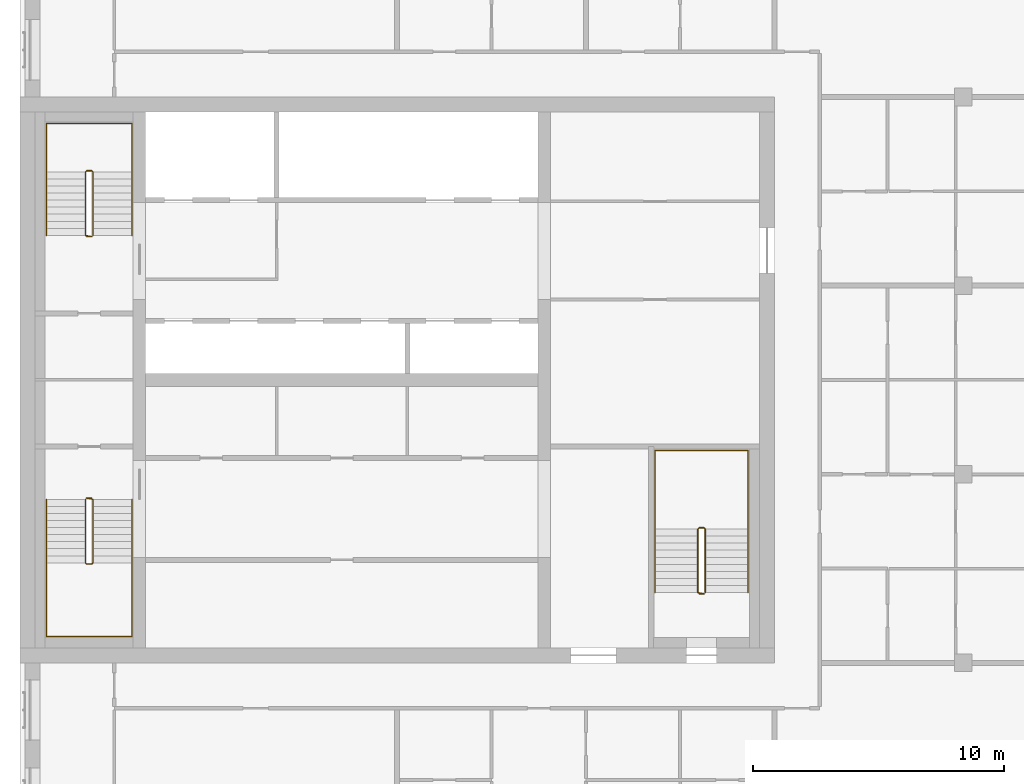
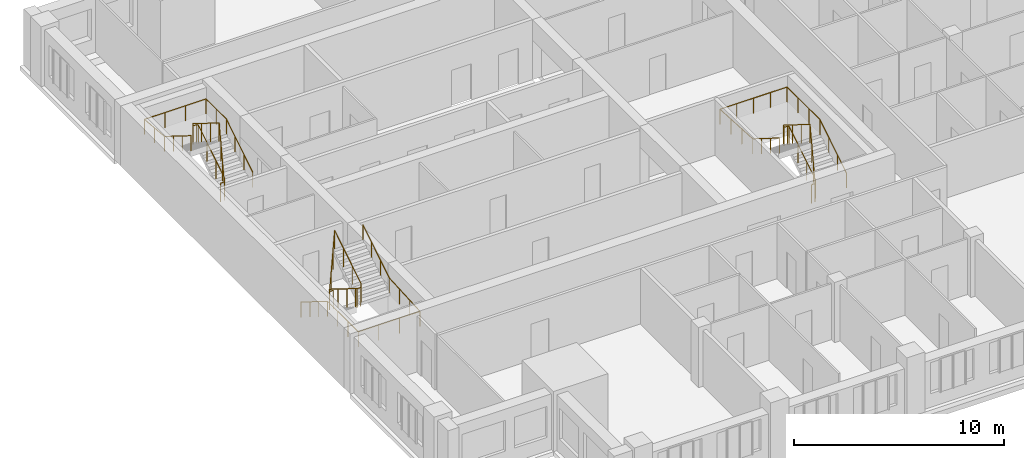
# One storey, part 10 of 10: 6 railings.
"""IFC4 building model written with IfcOpenShell, lengths in metres."""

from ifc_helpers import new_model, si_unit, direction, frame, origin, origin_2d, place, context, subcontext, project, spatial, circle, extrude, material, type_object, element, save


model = new_model("IFC4")

# Units and contexts
model_context = context("Model", 3, precision=1e-05, world=origin(), true_north=direction((0.0, 1.0)))
body_context = subcontext(model_context, "Body", "Model", "MODEL_VIEW")
ifc_project = project(units=[si_unit("LENGTHUNIT", "METRE"), si_unit("AREAUNIT", "SQUARE_METRE"), si_unit("VOLUMEUNIT", "CUBIC_METRE"), si_unit("PLANEANGLEUNIT", "RADIAN"), si_unit("MASSUNIT", "GRAM", prefix="KILO")], contexts=[model_context])

# Site, building, storey
site_placement = place(None, origin())
site = spatial("IfcSite", under=ifc_project, at=site_placement, CompositionType="ELEMENT")
building_placement = place(site_placement, origin())
building = spatial("IfcBuilding", under=site, at=building_placement, Name="Tamorin Gate", CompositionType="ELEMENT")
storey_placement = place(building_placement, frame((0.0, 0.0, 273.199951171875)))
storey = spatial("IfcBuildingStorey", under=building, at=storey_placement, Name="L68", CompositionType="ELEMENT", Elevation=273.199951171875)

# Railings
ifc_material_1 = material(Name="Painted steel balustrade", Category="steel")
railing_type_1 = type_object("IfcRailingType", Name="Stair guard 1100", PredefinedType="GUARDRAIL", material=ifc_material_1)
railing_1_placement = place(storey_placement, frame((32.60009765625, 66.5, 0.175048828125)))
element("IfcRailing", 1, at=railing_1_placement, inside=storey, type_object=railing_type_1, Name="L68 ST1 stair guard 1", PredefinedType="GUARDRAIL", context=body_context, shape_type="SweptSolid", body=[
    extrude(circle(Radius=0.02392578125, at=origin_2d()), frame((0.0, 0.0, 1.076171875), z_axis=(0.0, -0.848007534815, 0.529984170421), x_axis=(1.0, 0.0, 0.0)), (0.0, 0.0, 1.0), 2.9716796875),
    extrude(circle(Radius=0.02392578125, at=origin_2d()), frame((0.0, -2.52001953125, 2.65087890625), z_axis=(0.705375805398, -0.708833529934, 0.0), x_axis=(0.708833529934, 0.705375805398, 0.0)), (0.0, 0.0, 1.0), 0.070556640625),
    extrude(circle(Radius=0.02392578125, at=origin_2d()), frame((0.0498046875, -2.570068359375, 2.65087890625), z_axis=(1.0, 0.0, 0.0), x_axis=(0.0, 1.0, 0.0)), (0.0, 0.0, 1.0), 0.2001953125),
    extrude(circle(Radius=0.02392578125, at=origin_2d()), frame((0.25, -2.570068359375, 2.65087890625), z_axis=(0.263862480399, 0.265155923931, 0.927399011991), x_axis=(-0.708833529934, 0.705375805398, 0.0)), (0.0, 0.0, 1.0), 0.188720703125),
    extrude(circle(Radius=0.02392578125, at=origin_2d()), frame((0.2998046875, -2.52001953125, 2.826171875), z_axis=(0.0, 0.848007534815, 0.529984170421), x_axis=(-1.0, 0.0, 0.0)), (0.0, 0.0, 1.0), 2.9716796875),
    extrude(circle(Radius=0.02392578125, at=origin_2d()), frame((0.2998046875, 0.0, 4.40087890625), z_axis=(-0.071239803756, 0.014261874775, -0.997357252587), x_axis=(-0.196300278283, -0.98054382908, 0.0)), (0.0, 0.0, 1.0), 3.50927734375),
    extrude(circle(Radius=0.02392578125, at=origin_2d()), frame((0.0498046875, 0.050048828125, 0.90087890625), z_axis=(1.0, 0.0, 0.0), x_axis=(0.0, 1.0, 0.0)), (0.0, 0.0, 1.0), 0.2001953125),
    extrude(circle(Radius=0.02099609375, at=origin_2d()), origin(), (0.0, 0.0, 1.0), 1.052001953125),
    extrude(circle(Radius=0.02099609375, at=origin_2d()), frame((0.0, -0.840087890625, 0.52490234375)), (0.0, 0.0, 1.0), 1.052001953125),
    extrude(circle(Radius=0.02099609375, at=origin_2d()), frame((0.0, -1.679931640625, 1.050048828125)), (0.0, 0.0, 1.0), 1.052001953125),
    extrude(circle(Radius=0.02099609375, at=origin_2d()), frame((0.0, -2.52001953125, 1.574951171875)), (0.0, 0.0, 1.0), 1.052001953125),
    extrude(circle(Radius=0.02099609375, at=origin_2d()), frame((0.0498046875, -2.570068359375, 1.574951171875)), (0.0, 0.0, 1.0), 1.052001953125),
    extrude(circle(Radius=0.02099609375, at=origin_2d()), frame((0.25, -2.570068359375, 1.574951171875)), (0.0, 0.0, 1.0), 1.052001953125),
    extrude(circle(Radius=0.02099609375, at=origin_2d()), frame((0.2998046875, -2.52001953125, 1.75)), (0.0, 0.0, 1.0), 1.052001953125),
    extrude(circle(Radius=0.02099609375, at=origin_2d()), frame((0.2998046875, -1.679931640625, 2.27490234375)), (0.0, 0.0, 1.0), 1.052001953125),
    extrude(circle(Radius=0.02099609375, at=origin_2d()), frame((0.2998046875, -0.840087890625, 2.800048828125)), (0.0, 0.0, 1.0), 1.052001953125),
    extrude(circle(Radius=0.02099609375, at=origin_2d()), frame((0.2998046875, 0.0, 3.324951171875)), (0.0, 0.0, 1.0), 1.052001953125),
    extrude(circle(Radius=0.02099609375, at=origin_2d()), frame((0.216552734375, 0.0166015625, 2.158203125)), (0.0, 0.0, 1.0), 1.052001953125),
    extrude(circle(Radius=0.02099609375, at=origin_2d()), frame((0.133056640625, 0.033447265625, 0.99169921875)), (0.0, 0.0, 1.0), 1.052001953125),
    extrude(circle(Radius=0.02099609375, at=origin_2d()), frame((0.0498046875, 0.050048828125, -0.175048828125)), (0.0, 0.0, 1.0), 1.052001953125),
    extrude(circle(Radius=0.02099609375, at=origin_2d()), frame((0.25, 0.050048828125, -0.175048828125)), (0.0, 0.0, 1.0), 1.052001953125),
])
railing_2_placement = place(storey_placement, frame((32.89990234375, 77.0, 0.175048828125)))
element("IfcRailing", 2, at=railing_2_placement, inside=storey, type_object=railing_type_1, Name="L68 ST2 stair guard 1", PredefinedType="GUARDRAIL", context=body_context, shape_type="SweptSolid", body=[
    extrude(circle(Radius=0.02392578125, at=origin_2d()), frame((0.0, 0.0, 1.076171875), z_axis=(0.0, 0.848007534815, 0.529984170421), x_axis=(-1.0, 0.0, 0.0)), (0.0, 0.0, 1.0), 2.9716796875),
    extrude(circle(Radius=0.02392578125, at=origin_2d()), frame((0.0, 2.52001953125, 2.65087890625), z_axis=(-0.705375805398, 0.708833529934, 0.0), x_axis=(-0.708833529934, -0.705375805398, 0.0)), (0.0, 0.0, 1.0), 0.070556640625),
    extrude(circle(Radius=0.02392578125, at=origin_2d()), frame((-0.0498046875, 2.570068359375, 2.65087890625), z_axis=(-1.0, 0.0, 0.0), x_axis=(0.0, -1.0, 0.0)), (0.0, 0.0, 1.0), 0.2001953125),
    extrude(circle(Radius=0.02392578125, at=origin_2d()), frame((-0.25, 2.570068359375, 2.65087890625), z_axis=(-0.263862480399, -0.265155923931, 0.927399011991), x_axis=(0.708833529934, -0.705375805398, 0.0)), (0.0, 0.0, 1.0), 0.188720703125),
    extrude(circle(Radius=0.02392578125, at=origin_2d()), frame((-0.2998046875, 2.52001953125, 2.826171875), z_axis=(0.0, -0.848007534815, 0.529984170421), x_axis=(1.0, 0.0, 0.0)), (0.0, 0.0, 1.0), 2.9716796875),
    extrude(circle(Radius=0.02392578125, at=origin_2d()), frame((-0.2998046875, 0.0, 4.40087890625), z_axis=(0.071239803756, -0.014261874775, -0.997357252587), x_axis=(0.196300278283, 0.98054382908, 0.0)), (0.0, 0.0, 1.0), 3.50927734375),
    extrude(circle(Radius=0.02392578125, at=origin_2d()), frame((-0.0498046875, -0.050048828125, 0.90087890625), z_axis=(-1.0, 0.0, 0.0), x_axis=(0.0, -1.0, 0.0)), (0.0, 0.0, 1.0), 0.2001953125),
    extrude(circle(Radius=0.02099609375, at=origin_2d()), origin(), (0.0, 0.0, 1.0), 1.052001953125),
    extrude(circle(Radius=0.02099609375, at=origin_2d()), frame((0.0, 0.840087890625, 0.52490234375)), (0.0, 0.0, 1.0), 1.052001953125),
    extrude(circle(Radius=0.02099609375, at=origin_2d()), frame((0.0, 1.679931640625, 1.050048828125)), (0.0, 0.0, 1.0), 1.052001953125),
    extrude(circle(Radius=0.02099609375, at=origin_2d()), frame((0.0, 2.52001953125, 1.574951171875)), (0.0, 0.0, 1.0), 1.052001953125),
    extrude(circle(Radius=0.02099609375, at=origin_2d()), frame((-0.0498046875, 2.570068359375, 1.574951171875)), (0.0, 0.0, 1.0), 1.052001953125),
    extrude(circle(Radius=0.02099609375, at=origin_2d()), frame((-0.25, 2.570068359375, 1.574951171875)), (0.0, 0.0, 1.0), 1.052001953125),
    extrude(circle(Radius=0.02099609375, at=origin_2d()), frame((-0.2998046875, 2.52001953125, 1.75)), (0.0, 0.0, 1.0), 1.052001953125),
    extrude(circle(Radius=0.02099609375, at=origin_2d()), frame((-0.2998046875, 1.679931640625, 2.27490234375)), (0.0, 0.0, 1.0), 1.052001953125),
    extrude(circle(Radius=0.02099609375, at=origin_2d()), frame((-0.2998046875, 0.840087890625, 2.800048828125)), (0.0, 0.0, 1.0), 1.052001953125),
    extrude(circle(Radius=0.02099609375, at=origin_2d()), frame((-0.2998046875, 0.0, 3.324951171875)), (0.0, 0.0, 1.0), 1.052001953125),
    extrude(circle(Radius=0.02099609375, at=origin_2d()), frame((-0.216552734375, -0.0166015625, 2.158203125)), (0.0, 0.0, 1.0), 1.052001953125),
    extrude(circle(Radius=0.02099609375, at=origin_2d()), frame((-0.133056640625, -0.033447265625, 0.99169921875)), (0.0, 0.0, 1.0), 1.052001953125),
    extrude(circle(Radius=0.02099609375, at=origin_2d()), frame((-0.0498046875, -0.050048828125, -0.175048828125)), (0.0, 0.0, 1.0), 1.052001953125),
    extrude(circle(Radius=0.02099609375, at=origin_2d()), frame((-0.25, -0.050048828125, -0.175048828125)), (0.0, 0.0, 1.0), 1.052001953125),
])
railing_3_placement = place(storey_placement, frame((57.25, 62.800048828125, 0.175048828125)))
element("IfcRailing", 3, at=railing_3_placement, inside=storey, type_object=railing_type_1, Name="L68 ST3 stair guard 1", PredefinedType="GUARDRAIL", context=body_context, shape_type="SweptSolid", body=[
    extrude(circle(Radius=0.02392578125, at=origin_2d()), frame((0.0, 0.0, 1.076171875), z_axis=(0.0, 0.848007534815, 0.529984170421), x_axis=(-1.0, 0.0, 0.0)), (0.0, 0.0, 1.0), 2.9716796875),
    extrude(circle(Radius=0.02392578125, at=origin_2d()), frame((0.0, 2.52001953125, 2.65087890625), z_axis=(-0.707106781187, 0.707106781187, 0.0), x_axis=(-0.707106781187, -0.707106781187, 0.0)), (0.0, 0.0, 1.0), 0.07080078125),
    extrude(circle(Radius=0.02392578125, at=origin_2d()), frame((-0.050048828125, 2.570068359375, 2.65087890625), z_axis=(-1.0, 0.0, 0.0), x_axis=(0.0, -1.0, 0.0)), (0.0, 0.0, 1.0), 0.199951171875),
    extrude(circle(Radius=0.02392578125, at=origin_2d()), frame((-0.25, 2.570068359375, 2.65087890625), z_axis=(-0.265065253269, -0.265065253269, 0.927081885822), x_axis=(0.707106781187, -0.707106781187, 0.0)), (0.0, 0.0, 1.0), 0.188720703125),
    extrude(circle(Radius=0.02392578125, at=origin_2d()), frame((-0.300048828125, 2.52001953125, 2.826171875), z_axis=(0.0, -0.848007534815, 0.529984170421), x_axis=(1.0, 0.0, 0.0)), (0.0, 0.0, 1.0), 2.9716796875),
    extrude(circle(Radius=0.02392578125, at=origin_2d()), frame((-0.300048828125, 0.0, 4.40087890625), z_axis=(0.071239803756, -0.014261874775, -0.997357252587), x_axis=(0.196300278283, 0.98054382908, 0.0)), (0.0, 0.0, 1.0), 3.50927734375),
    extrude(circle(Radius=0.02392578125, at=origin_2d()), frame((-0.050048828125, -0.050048828125, 0.90087890625), z_axis=(-1.0, 0.0, 0.0), x_axis=(0.0, -1.0, 0.0)), (0.0, 0.0, 1.0), 0.199951171875),
    extrude(circle(Radius=0.02099609375, at=origin_2d()), origin(), (0.0, 0.0, 1.0), 1.052001953125),
    extrude(circle(Radius=0.02099609375, at=origin_2d()), frame((0.0, 0.840087890625, 0.52490234375)), (0.0, 0.0, 1.0), 1.052001953125),
    extrude(circle(Radius=0.02099609375, at=origin_2d()), frame((0.0, 1.679931640625, 1.050048828125)), (0.0, 0.0, 1.0), 1.052001953125),
    extrude(circle(Radius=0.02099609375, at=origin_2d()), frame((0.0, 2.52001953125, 1.574951171875)), (0.0, 0.0, 1.0), 1.052001953125),
    extrude(circle(Radius=0.02099609375, at=origin_2d()), frame((-0.050048828125, 2.570068359375, 1.574951171875)), (0.0, 0.0, 1.0), 1.052001953125),
    extrude(circle(Radius=0.02099609375, at=origin_2d()), frame((-0.25, 2.570068359375, 1.574951171875)), (0.0, 0.0, 1.0), 1.052001953125),
    extrude(circle(Radius=0.02099609375, at=origin_2d()), frame((-0.300048828125, 2.52001953125, 1.75)), (0.0, 0.0, 1.0), 1.052001953125),
    extrude(circle(Radius=0.02099609375, at=origin_2d()), frame((-0.300048828125, 1.679931640625, 2.27490234375)), (0.0, 0.0, 1.0), 1.052001953125),
    extrude(circle(Radius=0.02099609375, at=origin_2d()), frame((-0.300048828125, 0.840087890625, 2.800048828125)), (0.0, 0.0, 1.0), 1.052001953125),
    extrude(circle(Radius=0.02099609375, at=origin_2d()), frame((-0.300048828125, 0.0, 3.324951171875)), (0.0, 0.0, 1.0), 1.052001953125),
    extrude(circle(Radius=0.02099609375, at=origin_2d()), frame((-0.216796875, -0.0166015625, 2.158203125)), (0.0, 0.0, 1.0), 1.052001953125),
    extrude(circle(Radius=0.02099609375, at=origin_2d()), frame((-0.13330078125, -0.033447265625, 0.99169921875)), (0.0, 0.0, 1.0), 1.052001953125),
    extrude(circle(Radius=0.02099609375, at=origin_2d()), frame((-0.050048828125, -0.050048828125, -0.175048828125)), (0.0, 0.0, 1.0), 1.052001953125),
    extrude(circle(Radius=0.02099609375, at=origin_2d()), frame((-0.25, -0.050048828125, -0.175048828125)), (0.0, 0.0, 1.0), 1.052001953125),
])
ifc_material_2 = material(Name="Painted steel handrail", Category="steel")
railing_type_2 = type_object("IfcRailingType", Name="Stair handrail 900", PredefinedType="HANDRAIL", material=ifc_material_2)
railing_4_placement = place(storey_placement, frame((31.050048828125, 66.5, 0.175048828125)))
element("IfcRailing", 4, at=railing_4_placement, inside=storey, type_object=railing_type_2, Name="L68 ST1 stair handrail 1", PredefinedType="HANDRAIL", context=body_context, shape_type="SweptSolid", body=[
    extrude(circle(Radius=0.02392578125, at=origin_2d()), frame((0.0, 0.0, 0.8759765625), z_axis=(0.0, -0.848007534815, 0.529984170421), x_axis=(1.0, 0.0, 0.0)), (0.0, 0.0, 1.0), 2.9716796875),
    extrude(circle(Radius=0.02392578125, at=origin_2d()), frame((0.0, -2.52001953125, 2.45068359375), z_axis=(0.0, -1.0, 0.0), x_axis=(1.0, 0.0, 0.0)), (0.0, 0.0, 1.0), 2.929931640625),
    extrude(circle(Radius=0.02392578125, at=origin_2d()), frame((0.0, -5.449951171875, 2.45068359375), z_axis=(1.0, 0.0, 0.0), x_axis=(0.0, 1.0, 0.0)), (0.0, 0.0, 1.0), 3.39990234375),
    extrude(circle(Radius=0.02392578125, at=origin_2d()), frame((3.39990234375, -5.449951171875, 2.45068359375), z_axis=(0.0, 0.998220029962, 0.0596386769), x_axis=(-1.0, 0.0, 0.0)), (0.0, 0.0, 1.0), 2.93505859375),
    extrude(circle(Radius=0.02392578125, at=origin_2d()), frame((3.39990234375, -2.52001953125, 2.6259765625), z_axis=(0.0, 0.848007534815, 0.529984170421), x_axis=(-1.0, 0.0, 0.0)), (0.0, 0.0, 1.0), 2.9716796875),
    extrude(circle(Radius=0.02099609375, at=origin_2d()), origin(), (0.0, 0.0, 1.0), 0.851806640625),
    extrude(circle(Radius=0.02099609375, at=origin_2d()), frame((0.0, -0.840087890625, 0.52490234375)), (0.0, 0.0, 1.0), 0.851806640625),
    extrude(circle(Radius=0.02099609375, at=origin_2d()), frame((0.0, -1.679931640625, 1.050048828125)), (0.0, 0.0, 1.0), 0.851806640625),
    extrude(circle(Radius=0.02099609375, at=origin_2d()), frame((0.0, -2.52001953125, 1.574951171875)), (0.0, 0.0, 1.0), 0.851806640625),
    extrude(circle(Radius=0.02099609375, at=origin_2d()), frame((0.0, -3.49658203125, 1.574951171875)), (0.0, 0.0, 1.0), 0.851806640625),
    extrude(circle(Radius=0.02099609375, at=origin_2d()), frame((0.0, -4.473388671875, 1.574951171875)), (0.0, 0.0, 1.0), 0.851806640625),
    extrude(circle(Radius=0.02099609375, at=origin_2d()), frame((0.0, -5.449951171875, 1.574951171875)), (0.0, 0.0, 1.0), 0.851806640625),
    extrude(circle(Radius=0.02099609375, at=origin_2d()), frame((1.13330078125, -5.449951171875, 1.574951171875)), (0.0, 0.0, 1.0), 0.851806640625),
    extrude(circle(Radius=0.02099609375, at=origin_2d()), frame((2.2666015625, -5.449951171875, 1.574951171875)), (0.0, 0.0, 1.0), 0.851806640625),
    extrude(circle(Radius=0.02099609375, at=origin_2d()), frame((3.39990234375, -5.449951171875, 1.574951171875)), (0.0, 0.0, 1.0), 0.851806640625),
    extrude(circle(Radius=0.02099609375, at=origin_2d()), frame((3.39990234375, -4.473388671875, 1.63330078125)), (0.0, 0.0, 1.0), 0.851806640625),
    extrude(circle(Radius=0.02099609375, at=origin_2d()), frame((3.39990234375, -3.49658203125, 1.691650390625)), (0.0, 0.0, 1.0), 0.851806640625),
    extrude(circle(Radius=0.02099609375, at=origin_2d()), frame((3.39990234375, -2.52001953125, 1.75)), (0.0, 0.0, 1.0), 0.851806640625),
    extrude(circle(Radius=0.02099609375, at=origin_2d()), frame((3.39990234375, -1.679931640625, 2.27490234375)), (0.0, 0.0, 1.0), 0.851806640625),
    extrude(circle(Radius=0.02099609375, at=origin_2d()), frame((3.39990234375, -0.840087890625, 2.800048828125)), (0.0, 0.0, 1.0), 0.851806640625),
    extrude(circle(Radius=0.02099609375, at=origin_2d()), frame((3.39990234375, 0.0, 3.324951171875)), (0.0, 0.0, 1.0), 0.851806640625),
])
railing_5_placement = place(storey_placement, frame((34.449951171875, 77.0, 0.175048828125)))
element("IfcRailing", 5, at=railing_5_placement, inside=storey, type_object=railing_type_2, Name="L68 ST2 stair handrail 1", PredefinedType="HANDRAIL", context=body_context, shape_type="SweptSolid", body=[
    extrude(circle(Radius=0.02392578125, at=origin_2d()), frame((0.0, 0.0, 0.8759765625), z_axis=(0.0, 0.848007534815, 0.529984170421), x_axis=(-1.0, 0.0, 0.0)), (0.0, 0.0, 1.0), 2.9716796875),
    extrude(circle(Radius=0.02392578125, at=origin_2d()), frame((0.0, 2.52001953125, 2.45068359375), z_axis=(0.0, 1.0, 0.0), x_axis=(-1.0, 0.0, 0.0)), (0.0, 0.0, 1.0), 1.929931640625),
    extrude(circle(Radius=0.02392578125, at=origin_2d()), frame((0.0, 4.449951171875, 2.45068359375), z_axis=(-1.0, 0.0, 0.0), x_axis=(0.0, -1.0, 0.0)), (0.0, 0.0, 1.0), 3.39990234375),
    extrude(circle(Radius=0.02392578125, at=origin_2d()), frame((-3.39990234375, 4.449951171875, 2.45068359375), z_axis=(0.0, -0.995911773435, 0.090331276604), x_axis=(1.0, 0.0, 0.0)), (0.0, 0.0, 1.0), 1.937744140625),
    extrude(circle(Radius=0.02392578125, at=origin_2d()), frame((-3.39990234375, 2.52001953125, 2.6259765625), z_axis=(0.0, -0.848007534815, 0.529984170421), x_axis=(1.0, 0.0, 0.0)), (0.0, 0.0, 1.0), 2.9716796875),
    extrude(circle(Radius=0.02099609375, at=origin_2d()), origin(), (0.0, 0.0, 1.0), 0.851806640625),
    extrude(circle(Radius=0.02099609375, at=origin_2d()), frame((0.0, 0.840087890625, 0.52490234375)), (0.0, 0.0, 1.0), 0.851806640625),
    extrude(circle(Radius=0.02099609375, at=origin_2d()), frame((0.0, 1.679931640625, 1.050048828125)), (0.0, 0.0, 1.0), 0.851806640625),
    extrude(circle(Radius=0.02099609375, at=origin_2d()), frame((0.0, 2.52001953125, 1.574951171875)), (0.0, 0.0, 1.0), 0.851806640625),
    extrude(circle(Radius=0.02099609375, at=origin_2d()), frame((0.0, 3.48486328125, 1.574951171875)), (0.0, 0.0, 1.0), 0.851806640625),
    extrude(circle(Radius=0.02099609375, at=origin_2d()), frame((0.0, 4.449951171875, 1.574951171875)), (0.0, 0.0, 1.0), 0.851806640625),
    extrude(circle(Radius=0.02099609375, at=origin_2d()), frame((-1.13330078125, 4.449951171875, 1.574951171875)), (0.0, 0.0, 1.0), 0.851806640625),
    extrude(circle(Radius=0.02099609375, at=origin_2d()), frame((-2.2666015625, 4.449951171875, 1.574951171875)), (0.0, 0.0, 1.0), 0.851806640625),
    extrude(circle(Radius=0.02099609375, at=origin_2d()), frame((-3.39990234375, 4.449951171875, 1.574951171875)), (0.0, 0.0, 1.0), 0.851806640625),
    extrude(circle(Radius=0.02099609375, at=origin_2d()), frame((-3.39990234375, 3.48486328125, 1.66259765625)), (0.0, 0.0, 1.0), 0.851806640625),
    extrude(circle(Radius=0.02099609375, at=origin_2d()), frame((-3.39990234375, 2.52001953125, 1.75)), (0.0, 0.0, 1.0), 0.851806640625),
    extrude(circle(Radius=0.02099609375, at=origin_2d()), frame((-3.39990234375, 1.679931640625, 2.27490234375)), (0.0, 0.0, 1.0), 0.851806640625),
    extrude(circle(Radius=0.02099609375, at=origin_2d()), frame((-3.39990234375, 0.840087890625, 2.800048828125)), (0.0, 0.0, 1.0), 0.851806640625),
    extrude(circle(Radius=0.02099609375, at=origin_2d()), frame((-3.39990234375, 0.0, 3.324951171875)), (0.0, 0.0, 1.0), 0.851806640625),
])
railing_6_placement = place(storey_placement, frame((58.949951171875, 62.800048828125, 0.175048828125)))
element("IfcRailing", 6, at=railing_6_placement, inside=storey, type_object=railing_type_2, Name="L68 ST3 stair handrail 1", PredefinedType="HANDRAIL", context=body_context, shape_type="SweptSolid", body=[
    extrude(circle(Radius=0.02392578125, at=origin_2d()), frame((0.0, 0.0, 0.8759765625), z_axis=(0.0, 0.848007534815, 0.529984170421), x_axis=(-1.0, 0.0, 0.0)), (0.0, 0.0, 1.0), 2.9716796875),
    extrude(circle(Radius=0.02392578125, at=origin_2d()), frame((0.0, 2.52001953125, 2.45068359375), z_axis=(0.0, 1.0, 0.0), x_axis=(-1.0, 0.0, 0.0)), (0.0, 0.0, 1.0), 3.1298828125),
    extrude(circle(Radius=0.02392578125, at=origin_2d()), frame((0.0, 5.64990234375, 2.45068359375), z_axis=(-1.0, 0.0, 0.0), x_axis=(0.0, -1.0, 0.0)), (0.0, 0.0, 1.0), 3.699951171875),
    extrude(circle(Radius=0.02392578125, at=origin_2d()), frame((-3.699951171875, 5.64990234375, 2.45068359375), z_axis=(0.0, -0.998439675676, 0.055840970941), x_axis=(1.0, 0.0, 0.0)), (0.0, 0.0, 1.0), 3.134765625),
    extrude(circle(Radius=0.02392578125, at=origin_2d()), frame((-3.699951171875, 2.52001953125, 2.6259765625), z_axis=(0.0, -0.848007534815, 0.529984170421), x_axis=(1.0, 0.0, 0.0)), (0.0, 0.0, 1.0), 2.9716796875),
    extrude(circle(Radius=0.02099609375, at=origin_2d()), origin(), (0.0, 0.0, 1.0), 0.851806640625),
    extrude(circle(Radius=0.02099609375, at=origin_2d()), frame((0.0, 0.840087890625, 0.52490234375)), (0.0, 0.0, 1.0), 0.851806640625),
    extrude(circle(Radius=0.02099609375, at=origin_2d()), frame((0.0, 1.679931640625, 1.050048828125)), (0.0, 0.0, 1.0), 0.851806640625),
    extrude(circle(Radius=0.02099609375, at=origin_2d()), frame((0.0, 2.52001953125, 1.574951171875)), (0.0, 0.0, 1.0), 0.851806640625),
    extrude(circle(Radius=0.02099609375, at=origin_2d()), frame((0.0, 3.563232421875, 1.574951171875)), (0.0, 0.0, 1.0), 0.851806640625),
    extrude(circle(Radius=0.02099609375, at=origin_2d()), frame((0.0, 4.606689453125, 1.574951171875)), (0.0, 0.0, 1.0), 0.851806640625),
    extrude(circle(Radius=0.02099609375, at=origin_2d()), frame((0.0, 5.64990234375, 1.574951171875)), (0.0, 0.0, 1.0), 0.851806640625),
    extrude(circle(Radius=0.02099609375, at=origin_2d()), frame((-0.925048828125, 5.64990234375, 1.574951171875)), (0.0, 0.0, 1.0), 0.851806640625),
    extrude(circle(Radius=0.02099609375, at=origin_2d()), frame((-1.85009765625, 5.64990234375, 1.574951171875)), (0.0, 0.0, 1.0), 0.851806640625),
    extrude(circle(Radius=0.02099609375, at=origin_2d()), frame((-2.77490234375, 5.64990234375, 1.574951171875)), (0.0, 0.0, 1.0), 0.851806640625),
    extrude(circle(Radius=0.02099609375, at=origin_2d()), frame((-3.699951171875, 5.64990234375, 1.574951171875)), (0.0, 0.0, 1.0), 0.851806640625),
    extrude(circle(Radius=0.02099609375, at=origin_2d()), frame((-3.699951171875, 4.606689453125, 1.63330078125)), (0.0, 0.0, 1.0), 0.851806640625),
    extrude(circle(Radius=0.02099609375, at=origin_2d()), frame((-3.699951171875, 3.563232421875, 1.691650390625)), (0.0, 0.0, 1.0), 0.851806640625),
    extrude(circle(Radius=0.02099609375, at=origin_2d()), frame((-3.699951171875, 2.52001953125, 1.75)), (0.0, 0.0, 1.0), 0.851806640625),
    extrude(circle(Radius=0.02099609375, at=origin_2d()), frame((-3.699951171875, 1.679931640625, 2.27490234375)), (0.0, 0.0, 1.0), 0.851806640625),
    extrude(circle(Radius=0.02099609375, at=origin_2d()), frame((-3.699951171875, 0.840087890625, 2.800048828125)), (0.0, 0.0, 1.0), 0.851806640625),
    extrude(circle(Radius=0.02099609375, at=origin_2d()), frame((-3.699951171875, 0.0, 3.324951171875)), (0.0, 0.0, 1.0), 0.851806640625),
])

save(model, "model.ifc")
